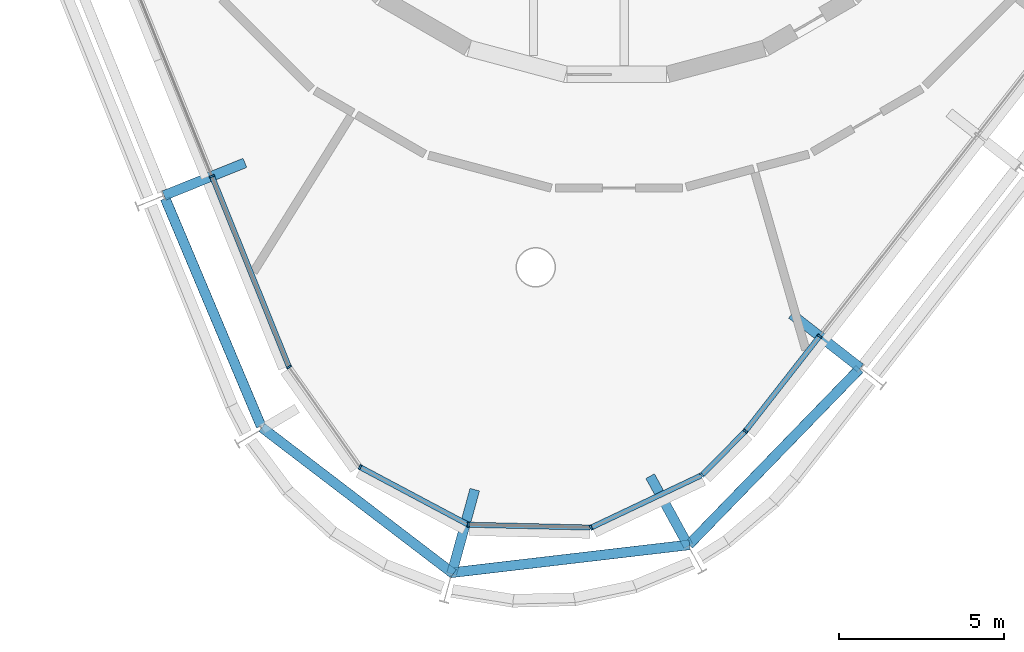
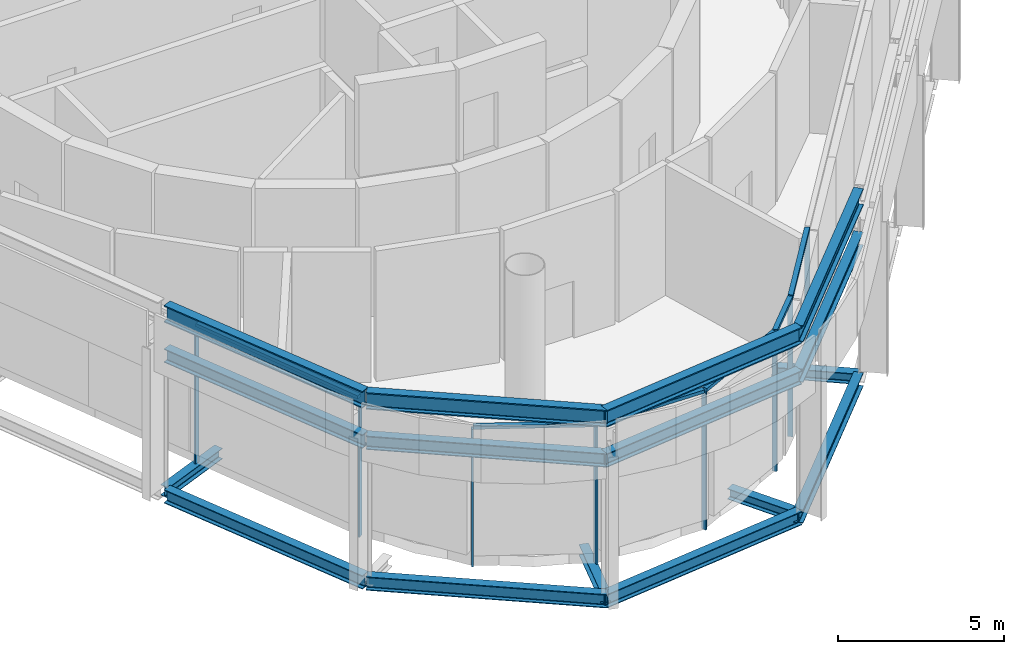
# One storey, part 2 of 15: 16 beams, 14 members, 2 elements without a shape of their own.
"""IFC4 building model written with IfcOpenShell, lengths in metres."""

from ifc_helpers import new_model, si_unit, direction, frame, origin, origin_2d, place, context, subcontext, project, spatial, rectangle, i_section, extrude, material, layer, layer_set, material_profile, profile_set, type_object, element, aggregate, save


model = new_model("IFC4")

# Units and contexts
model_context = context("Model", 3, precision=1e-05, world=origin(), true_north=direction((0.0, 1.0)))
body_context = subcontext(model_context, "Body", "Model", "MODEL_VIEW")
ifc_project = project(units=[si_unit("LENGTHUNIT", "METRE"), si_unit("AREAUNIT", "SQUARE_METRE"), si_unit("VOLUMEUNIT", "CUBIC_METRE"), si_unit("PLANEANGLEUNIT", "RADIAN"), si_unit("MASSUNIT", "GRAM", prefix="KILO")], contexts=[model_context])

# Site, building, storey
site_placement = place(None, origin())
site = spatial("IfcSite", under=ifc_project, at=site_placement, CompositionType="ELEMENT")
building_placement = place(site_placement, origin())
building = spatial("IfcBuilding", under=site, at=building_placement, Name="Spindle Arch Residences", CompositionType="ELEMENT")
storey_placement = place(building_placement, frame((0.0, 0.0, 366.199951171875)))
storey = spatial("IfcBuildingStorey", under=building, at=storey_placement, Name="L94", CompositionType="ELEMENT", Elevation=366.199951171875)

# Curtain wall, members
ifc_material_1 = material(Name="Aluminium bronze unitised frame with tinted glass", Category="aluminium")
ifc_layer = layer(ifc_material_1, 0.159912109375)
ifc_layer_set = layer_set([ifc_layer], Name="CW-F crown plant glazed wall")
curtain_wall_type = type_object("IfcCurtainWallType", Name="CW-F crown plant glazed wall", PredefinedType="NOTDEFINED", material=ifc_layer_set)
curtain_wall_1_placement = place(storey_placement, origin())
curtain_wall_1 = element("IfcCurtainWall", 1, at=curtain_wall_1_placement, inside=storey, type_object=curtain_wall_type, Name="CW-F L94 run 5", PredefinedType="NOTDEFINED")
ifc_material_2 = material(Name="Aluminium bronze anodised mullion", Category="aluminium")
ifc_material_profile_1 = material_profile(ifc_material_2, rectangle(XDim=0.159912109375, YDim=0.06005859375, at=origin_2d()), Name="MU 60x160")
ifc_profile_set_1 = profile_set([ifc_material_profile_1], Name="Aluminium bronze anodised mullion")
member_type_1 = type_object("IfcMemberType", Name="Bronze mullion 60x160", PredefinedType="MULLION", material=ifc_profile_set_1)
member_1_placement = place(storey_placement, frame((-12.292724609375, -14.73779296875, -0.3798828125), z_axis=(0.0, 0.0, 1.0), x_axis=(0.927183854567, 0.374606593416, 0.0)))
member_1 = element("IfcMember", 2, at=member_1_placement, type_object=member_type_1, Name="CW-F mullion 00", PredefinedType="MULLION", context=body_context, shape_type="SweptSolid", body=[
    extrude(rectangle(XDim=0.159912109375, YDim=0.06005859375, at=origin_2d()), origin(), (0.0, 0.0, 1.0), 5.059814453125),
])
member_2_placement = place(storey_placement, frame((-9.951904296875, -20.53173828125, -0.3798828125), z_axis=(0.0, 0.0, 1.0), x_axis=(0.815801266332, 0.578332338584, 0.0)))
member_2 = element("IfcMember", 3, at=member_2_placement, type_object=member_type_1, Name="CW-F mullion 01", PredefinedType="MULLION", context=body_context, shape_type="SweptSolid", body=[
    extrude(rectangle(XDim=0.159912109375, YDim=0.06005859375, at=origin_2d()), origin(), (0.0, 0.0, 1.0), 5.059814453125),
])
member_3_placement = place(storey_placement, frame((-7.79638671875, -23.572021484375, -0.3798828125), z_axis=(0.0, 0.0, 1.0), x_axis=(0.469471563633, 0.882947592408, 0.0)))
member_3 = element("IfcMember", 4, at=member_3_placement, type_object=member_type_1, Name="CW-F mullion 02", PredefinedType="MULLION", context=body_context, shape_type="SweptSolid", body=[
    extrude(rectangle(XDim=0.159912109375, YDim=0.06005859375, at=origin_2d()), origin(), (0.0, 0.0, 1.0), 5.059814453125),
])
member_4_placement = place(storey_placement, frame((-4.505859375, -25.321533203125, -0.3798828125), z_axis=(0.0, 0.0, 1.0), x_axis=(0.023268959422, 0.999729241109, 0.0)))
member_4 = element("IfcMember", 5, at=member_4_placement, type_object=member_type_1, Name="CW-F mullion 03", PredefinedType="MULLION", context=body_context, shape_type="SweptSolid", body=[
    extrude(rectangle(XDim=0.159912109375, YDim=0.06005859375, at=origin_2d()), origin(), (0.0, 0.0, 1.0), 5.059814453125),
])
member_5_placement = place(storey_placement, frame((-0.7802734375, -25.408203125, -0.3798828125), z_axis=(0.0, 0.0, 1.0), x_axis=(-0.427883767902, 0.903833768547, 0.0)))
member_5 = element("IfcMember", 6, at=member_5_placement, type_object=member_type_1, Name="CW-F mullion 04", PredefinedType="MULLION", context=body_context, shape_type="SweptSolid", body=[
    extrude(rectangle(XDim=0.159912109375, YDim=0.06005859375, at=origin_2d()), origin(), (0.0, 0.0, 1.0), 5.059814453125),
])
member_6_placement = place(storey_placement, frame((2.588134765625, -23.813720703125, -0.3798828125), z_axis=(0.0, 0.0, 1.0), x_axis=(-0.711208575748, 0.702981053644, 0.0)))
member_6 = element("IfcMember", 7, at=member_6_placement, type_object=member_type_1, Name="CW-F mullion 05", PredefinedType="MULLION", context=body_context, shape_type="SweptSolid", body=[
    extrude(rectangle(XDim=0.159912109375, YDim=0.06005859375, at=origin_2d()), origin(), (0.0, 0.0, 1.0), 5.059814453125),
])
member_7_placement = place(storey_placement, frame((3.906982421875, -22.479248046875, -0.3798828125), z_axis=(0.0, 0.0, 1.0), x_axis=(-0.788010753607, 0.615661475326, 0.0)))
member_7 = element("IfcMember", 8, at=member_7_placement, type_object=member_type_1, Name="CW-F mullion 06", PredefinedType="MULLION", context=body_context, shape_type="SweptSolid", body=[
    extrude(rectangle(XDim=0.159912109375, YDim=0.06005859375, at=origin_2d()), origin(), (0.0, 0.0, 1.0), 5.059814453125),
])

# Curtain wall, member
curtain_wall_2_placement = place(storey_placement, origin())
curtain_wall_2 = element("IfcCurtainWall", 9, at=curtain_wall_2_placement, inside=storey, type_object=curtain_wall_type, Name="CW-F L94 run 6", PredefinedType="NOTDEFINED")
member_8_placement = place(storey_placement, frame((6.160400390625, -19.594970703125, -0.3798828125), z_axis=(0.0, 0.0, 1.0), x_axis=(-0.788010753607, 0.615661475326, 0.0)))
member_8 = element("IfcMember", 10, at=member_8_placement, type_object=member_type_1, Name="CW-F mullion 18", PredefinedType="MULLION", context=body_context, shape_type="SweptSolid", body=[
    extrude(rectangle(XDim=0.159912109375, YDim=0.06005859375, at=origin_2d()), origin(), (0.0, 0.0, 1.0), 5.059814453125),
])
aggregate(curtain_wall_2, [member_8])

# Member
ifc_material_3 = material(Name="Aluminium bronze anodised transom", Category="aluminium")
ifc_material_profile_2 = material_profile(ifc_material_3, rectangle(XDim=0.159912109375, YDim=0.1201171875, at=origin_2d()), Name="TR 120x160")
ifc_profile_set_2 = profile_set([ifc_material_profile_2], Name="Aluminium bronze anodised transom")
member_type_2 = type_object("IfcMemberType", Name="Bronze transom 120x160", PredefinedType="USERDEFINED", material=ifc_profile_set_2)
member_9_placement = place(storey_placement, frame((-12.28125, -14.765625, 4.739990234375), z_axis=(0.374564798487, -0.927200739719, 0.0), x_axis=(0.927200739719, 0.374564798487, 0.0)))
member_9 = element("IfcMember", 11, at=member_9_placement, type_object=member_type_2, Name="CW-F transom 00", ObjectType="TRANSOM", PredefinedType="USERDEFINED", context=body_context, shape_type="SweptSolid", body=[
    extrude(rectangle(XDim=0.159912109375, YDim=0.1201171875, at=origin_2d()), origin(), (0.0, 0.0, 1.0), 6.188720703125),
])

member_10_placement = place(storey_placement, frame((-7.77001953125, -23.5859375, 4.739990234375), z_axis=(0.882947559001, -0.469471626463, 0.0), x_axis=(0.469471626463, 0.882947559001, 0.0)))
member_10 = element("IfcMember", 12, at=member_10_placement, type_object=member_type_2, Name="CW-F transom 02", ObjectType="TRANSOM", PredefinedType="USERDEFINED", context=body_context, shape_type="SweptSolid", body=[
    extrude(rectangle(XDim=0.159912109375, YDim=0.1201171875, at=origin_2d()), origin(), (0.0, 0.0, 1.0), 3.666748046875),
])

member_11_placement = place(storey_placement, frame((-4.47607421875, -25.322265625, 4.739990234375), z_axis=(0.999729981043, -0.023237147079, 0.0), x_axis=(0.023237147079, 0.999729981043, 0.0)))
member_11 = element("IfcMember", 13, at=member_11_placement, type_object=member_type_2, Name="CW-F transom 03", ObjectType="TRANSOM", PredefinedType="USERDEFINED", context=body_context, shape_type="SweptSolid", body=[
    extrude(rectangle(XDim=0.159912109375, YDim=0.1201171875, at=origin_2d()), origin(), (0.0, 0.0, 1.0), 3.666748046875),
])

member_12_placement = place(storey_placement, frame((-0.753173828125, -25.3955078125, 4.739990234375), z_axis=(0.903821874806, 0.427908890562, 0.0), x_axis=(-0.427908890562, 0.903821874806, 0.0)))
member_12 = element("IfcMember", 14, at=member_12_placement, type_object=member_type_2, Name="CW-F transom 04", ObjectType="TRANSOM", PredefinedType="USERDEFINED", context=body_context, shape_type="SweptSolid", body=[
    extrude(rectangle(XDim=0.159912109375, YDim=0.1201171875, at=origin_2d()), origin(), (0.0, 0.0, 1.0), 3.6669921875),
])

member_13_placement = place(storey_placement, frame((2.609130859375, -23.792236328125, 4.739990234375), z_axis=(0.703062417903, 0.711128143539, 0.0), x_axis=(-0.711128143539, 0.703062417903, 0.0)))
member_13 = element("IfcMember", 15, at=member_13_placement, type_object=member_type_2, Name="CW-F transom 05", ObjectType="TRANSOM", PredefinedType="USERDEFINED", context=body_context, shape_type="SweptSolid", body=[
    extrude(rectangle(XDim=0.159912109375, YDim=0.1201171875, at=origin_2d()), origin(), (0.0, 0.0, 1.0), 1.816162109375),
])

member_14_placement = place(storey_placement, frame((3.925537109375, -22.455810546875, 4.739990234375), z_axis=(0.615647989673, 0.788021289568, 0.0), x_axis=(-0.788021289568, 0.615647989673, 0.0)))
member_14 = element("IfcMember", 16, at=member_14_placement, type_object=member_type_2, Name="CW-F transom 06", ObjectType="TRANSOM", PredefinedType="USERDEFINED", context=body_context, shape_type="SweptSolid", body=[
    extrude(rectangle(XDim=0.159912109375, YDim=0.1201171875, at=origin_2d()), origin(), (0.0, 0.0, 1.0), 3.600341796875),
])

aggregate(curtain_wall_1, [member_1, member_9, member_2, member_3, member_10, member_4, member_11, member_5, member_12, member_6, member_13, member_7, member_14])

# Beams
ifc_material_4 = material(Name="Steel S460ML, intumescent coating R 120", Category="steel")
ifc_material_profile_3 = material_profile(ifc_material_4, i_section(OverallWidth=0.304931640625, OverallDepth=0.6201171875, WebThickness=0.02099609375, FlangeThickness=0.0400390625, FilletRadius=0.027099609375, at=origin_2d()), Name="HEM 600")
ifc_profile_set_3 = profile_set([ifc_material_profile_3], Name="Steel S460ML, intumescent coating R 120")
beam_type_1 = type_object("IfcBeamType", Name="Crown ring beam HEM 600", PredefinedType="BEAM", material=ifc_profile_set_3)
beam_1_placement = place(storey_placement, frame((-13.711669921875, -15.4150390625, 6.090087890625), z_axis=(0.388148671876, -0.92159677111, 0.0), x_axis=(0.92159677111, 0.388148671876, 0.0)))
element("IfcBeam", 17, at=beam_1_placement, inside=storey, type_object=beam_type_1, Name="Crown ring beam L94 15", PredefinedType="BEAM", context=body_context, shape_type="SweptSolid", body=[
    extrude(i_section(OverallWidth=0.304931640625, OverallDepth=0.6201171875, WebThickness=0.02099609375, FlangeThickness=0.0400390625, FilletRadius=0.027099609375, at=origin_2d()), origin(), (0.0, 0.0, 1.0), 7.500732421875),
])
for number, where, z_axis, x_axis, name in (
    (18, (-10.77685546875, -22.3681640625, 6.090087890625), (0.794751716533, -0.606934682703, 0.0), (0.606934682703, 0.794751716533, 0.0), "Crown ring beam L94 16"),
    (19, (-5.0556640625, -26.78271484375, 6.090087890625), (0.993205848316, 0.116370713117, 0.0), (-0.116370713117, 0.993205848316, 0.0), "Crown ring beam L94 17"),
):
    element("IfcBeam", number, at=place(storey_placement, frame(where, z_axis=z_axis, x_axis=x_axis)), inside=storey, type_object=beam_type_1, Name=name, PredefinedType="BEAM", context=body_context, shape_type="SweptSolid", body=[
        extrude(i_section(OverallWidth=0.304931640625, OverallDepth=0.6201171875, WebThickness=0.02099609375, FlangeThickness=0.0400390625, FilletRadius=0.027099609375, at=origin_2d()), origin(), (0.0, 0.0, 1.0), 7.315673828125),
    ])
beam_2_placement = place(storey_placement, frame((2.19091796875, -25.927001953125, 6.090087890625), z_axis=(0.696374951776, 0.717678149688, 0.0), x_axis=(-0.717678149688, 0.696374951776, 0.0)))
element("IfcBeam", 20, at=beam_2_placement, inside=storey, type_object=beam_type_1, Name="Crown ring beam L94 18", PredefinedType="BEAM", context=body_context, shape_type="SweptSolid", body=[
    extrude(i_section(OverallWidth=0.304931640625, OverallDepth=0.6201171875, WebThickness=0.02099609375, FlangeThickness=0.0400390625, FilletRadius=0.027099609375, at=origin_2d()), origin(), (0.0, 0.0, 1.0), 7.437744140625),
])
ifc_material_5 = material(Name="Steel S460ML, intumescent coating R 120", Category="steel")
ifc_material_profile_4 = material_profile(ifc_material_5, i_section(OverallWidth=0.300048828125, OverallDepth=0.5, WebThickness=0.014404296875, FlangeThickness=0.028076171875, FilletRadius=0.027099609375, at=origin_2d()), Name="HEB 500")
ifc_profile_set_4 = profile_set([ifc_material_profile_4], Name="Steel S460ML, intumescent coating R 120")
beam_type_2 = type_object("IfcBeamType", Name="Exoskeleton edge beam HEB 500", PredefinedType="BEAM", material=ifc_profile_set_4)
beam_3_placement = place(storey_placement, frame((-13.711669921875, -15.4150390625, -0.6298828125), z_axis=(0.388148671876, -0.92159677111, 0.0), x_axis=(0.92159677111, 0.388148671876, 0.0)))
element("IfcBeam", 21, at=beam_3_placement, inside=storey, type_object=beam_type_2, Name="Exoskeleton edge beam 15", PredefinedType="BEAM", context=body_context, shape_type="SweptSolid", body=[
    extrude(i_section(OverallWidth=0.300048828125, OverallDepth=0.5, WebThickness=0.014404296875, FlangeThickness=0.028076171875, FilletRadius=0.027099609375, at=origin_2d()), origin(), (0.0, 0.0, 1.0), 7.500732421875),
])
for number, where, z_axis, x_axis, name in (
    (22, (-10.77685546875, -22.3681640625, -0.6298828125), (0.794751716533, -0.606934682703, 0.0), (0.606934682703, 0.794751716533, 0.0), "Exoskeleton edge beam 16"),
    (23, (-5.0556640625, -26.78271484375, -0.6298828125), (0.993205848316, 0.116370713117, 0.0), (-0.116370713117, 0.993205848316, 0.0), "Exoskeleton edge beam 17"),
):
    element("IfcBeam", number, at=place(storey_placement, frame(where, z_axis=z_axis, x_axis=x_axis)), inside=storey, type_object=beam_type_2, Name=name, PredefinedType="BEAM", context=body_context, shape_type="SweptSolid", body=[
        extrude(i_section(OverallWidth=0.300048828125, OverallDepth=0.5, WebThickness=0.014404296875, FlangeThickness=0.028076171875, FilletRadius=0.027099609375, at=origin_2d()), origin(), (0.0, 0.0, 1.0), 7.315673828125),
    ])
beam_4_placement = place(storey_placement, frame((2.19091796875, -25.927001953125, -0.6298828125), z_axis=(0.696374951776, 0.717678149688, 0.0), x_axis=(-0.717678149688, 0.696374951776, 0.0)))
element("IfcBeam", 24, at=beam_4_placement, inside=storey, type_object=beam_type_2, Name="Exoskeleton edge beam 18", PredefinedType="BEAM", context=body_context, shape_type="SweptSolid", body=[
    extrude(i_section(OverallWidth=0.300048828125, OverallDepth=0.5, WebThickness=0.014404296875, FlangeThickness=0.028076171875, FilletRadius=0.027099609375, at=origin_2d()), origin(), (0.0, 0.0, 1.0), 7.437744140625),
])
beam_5_placement = place(storey_placement, frame((-13.711669921875, -15.4150390625, 4.550048828125), z_axis=(0.388148671876, -0.92159677111, 0.0), x_axis=(0.92159677111, 0.388148671876, 0.0)))
element("IfcBeam", 25, at=beam_5_placement, inside=storey, type_object=beam_type_2, Name="Exoskeleton edge beam L94 15", PredefinedType="BEAM", context=body_context, shape_type="SweptSolid", body=[
    extrude(i_section(OverallWidth=0.300048828125, OverallDepth=0.5, WebThickness=0.014404296875, FlangeThickness=0.028076171875, FilletRadius=0.027099609375, at=origin_2d()), origin(), (0.0, 0.0, 1.0), 7.500732421875),
])
for number, where, z_axis, x_axis, name in (
    (26, (-10.77685546875, -22.3681640625, 4.550048828125), (0.794751716533, -0.606934682703, 0.0), (0.606934682703, 0.794751716533, 0.0), "Exoskeleton edge beam L94 16"),
    (27, (-5.0556640625, -26.78271484375, 4.550048828125), (0.993205848316, 0.116370713117, 0.0), (-0.116370713117, 0.993205848316, 0.0), "Exoskeleton edge beam L94 17"),
):
    element("IfcBeam", number, at=place(storey_placement, frame(where, z_axis=z_axis, x_axis=x_axis)), inside=storey, type_object=beam_type_2, Name=name, PredefinedType="BEAM", context=body_context, shape_type="SweptSolid", body=[
        extrude(i_section(OverallWidth=0.300048828125, OverallDepth=0.5, WebThickness=0.014404296875, FlangeThickness=0.028076171875, FilletRadius=0.027099609375, at=origin_2d()), origin(), (0.0, 0.0, 1.0), 7.315673828125),
    ])
beam_6_placement = place(storey_placement, frame((2.19091796875, -25.927001953125, 4.550048828125), z_axis=(0.696374951776, 0.717678149688, 0.0), x_axis=(-0.717678149688, 0.696374951776, 0.0)))
element("IfcBeam", 28, at=beam_6_placement, inside=storey, type_object=beam_type_2, Name="Exoskeleton edge beam L94 18", PredefinedType="BEAM", context=body_context, shape_type="SweptSolid", body=[
    extrude(i_section(OverallWidth=0.300048828125, OverallDepth=0.5, WebThickness=0.014404296875, FlangeThickness=0.028076171875, FilletRadius=0.027099609375, at=origin_2d()), origin(), (0.0, 0.0, 1.0), 7.437744140625),
])
ifc_material_6 = material(Name="Steel S460ML, intumescent coating R 120", Category="steel")
ifc_material_profile_5 = material_profile(ifc_material_6, i_section(OverallWidth=0.300048828125, OverallDepth=0.389892578125, WebThickness=0.010986328125, FlangeThickness=0.01904296875, FilletRadius=0.027099609375, at=origin_2d()), Name="HEA 400")
ifc_profile_set_5 = profile_set([ifc_material_profile_5], Name="Steel S460ML, intumescent coating R 120")
beam_type_3 = type_object("IfcBeamType", Name="Floor outrigger HEA 400", PredefinedType="BEAM", material=ifc_profile_set_5)
for number, where, z_axis, x_axis, name in (
    (29, (-13.748291015625, -15.325927734375, -0.574951171875), (0.927187692393, 0.374597094323, 0.0), (-0.374597094323, 0.927187692393, 0.0), "Floor outrigger 15"),
    (30, (-5.01318359375, -26.810791015625, -0.574951171875), (0.2645204188, 0.964380084841, 0.0), (-0.964380084841, 0.2645204188, 0.0), "Floor outrigger 17"),
):
    element("IfcBeam", number, at=place(storey_placement, frame(where, z_axis=z_axis, x_axis=x_axis)), inside=storey, type_object=beam_type_3, Name=name, PredefinedType="BEAM", context=body_context, shape_type="SweptSolid", body=[
        extrude(i_section(OverallWidth=0.300048828125, OverallDepth=0.389892578125, WebThickness=0.010986328125, FlangeThickness=0.01904296875, FilletRadius=0.027099609375, at=origin_2d()), origin(), (0.0, 0.0, 1.0), 2.64990234375),
    ])
beam_7_placement = place(storey_placement, frame((2.175537109375, -25.968505859375, -0.574951171875), z_axis=(-0.48032201602, 0.877092219169, 0.0), x_axis=(-0.877092219169, -0.48032201602, 0.0)))
element("IfcBeam", 31, at=beam_7_placement, inside=storey, type_object=beam_type_3, Name="Floor outrigger 18", PredefinedType="BEAM", context=body_context, shape_type="SweptSolid", body=[
    extrude(i_section(OverallWidth=0.300048828125, OverallDepth=0.389892578125, WebThickness=0.010986328125, FlangeThickness=0.01904296875, FilletRadius=0.027099609375, at=origin_2d()), origin(), (0.0, 0.0, 1.0), 2.41943359375),
])
beam_8_placement = place(storey_placement, frame((7.397705078125, -20.561767578125, -0.574951171875), z_axis=(-0.788015993799, 0.615654768127, 0.0), x_axis=(-0.615654768127, -0.788015993799, 0.0)))
element("IfcBeam", 32, at=beam_8_placement, inside=storey, type_object=beam_type_3, Name="Floor outrigger 19", PredefinedType="BEAM", context=body_context, shape_type="SweptSolid", body=[
    extrude(i_section(OverallWidth=0.300048828125, OverallDepth=0.389892578125, WebThickness=0.010986328125, FlangeThickness=0.01904296875, FilletRadius=0.027099609375, at=origin_2d()), origin(), (0.0, 0.0, 1.0), 2.650146484375),
])

save(model, "model.ifc")
